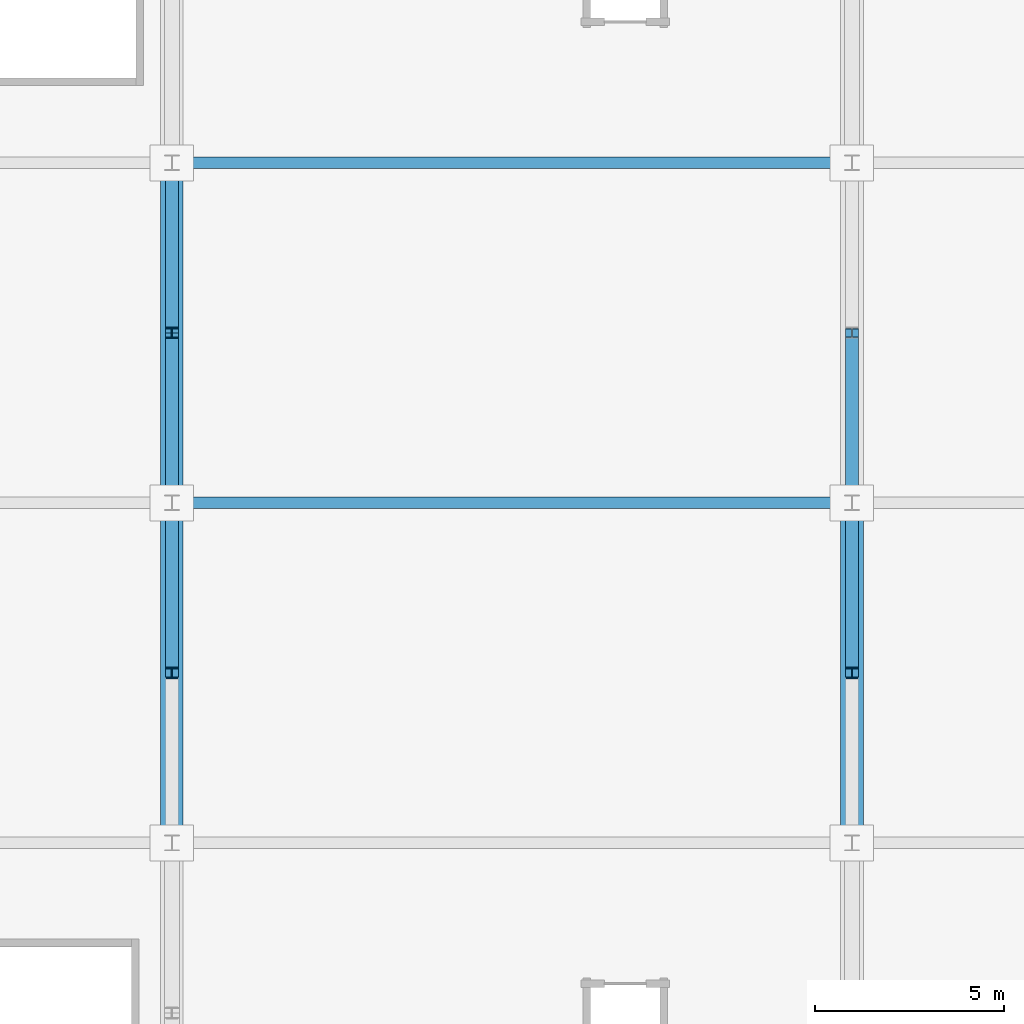
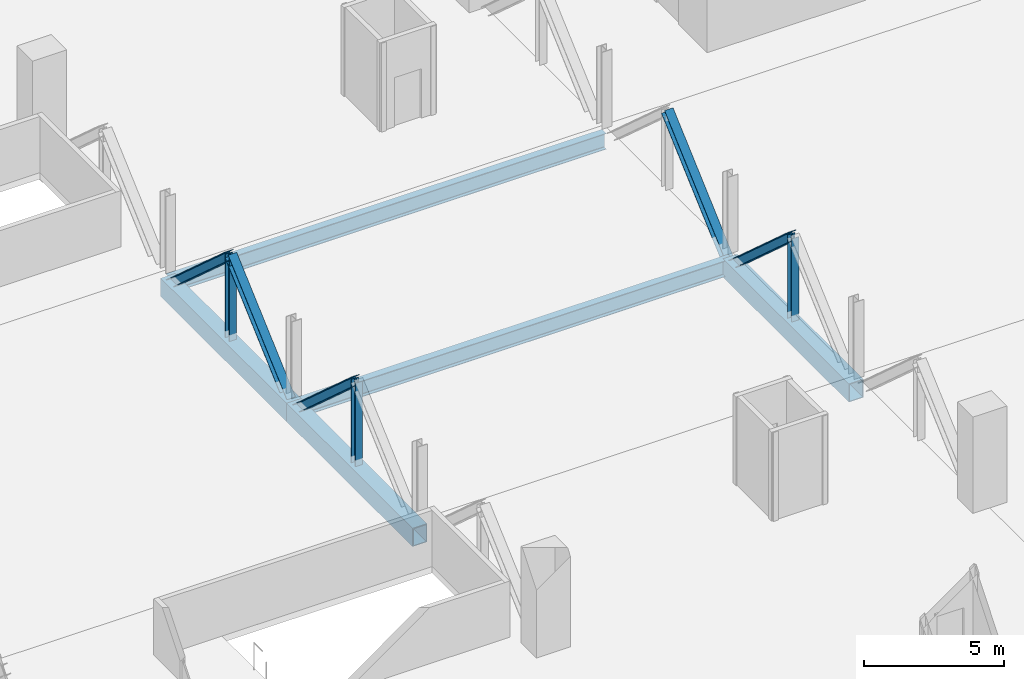
# One storey, part 29 of 136: 8 members, 5 beams.
"""IFC4 building model written with IfcOpenShell, lengths in metres."""

from ifc_helpers import new_model, si_unit, direction, frame, origin, origin_2d, place, context, subcontext, project, spatial, hollow_rectangle, i_section, extrude, material, material_profile, profile_set, type_object, element, save


model = new_model("IFC4")

# Units and contexts
model_context = context("Model", 3, precision=1e-05, world=origin(), true_north=direction((0.0, 1.0)))
body_context = subcontext(model_context, "Body", "Model", "MODEL_VIEW")
ifc_project = project(units=[si_unit("LENGTHUNIT", "METRE"), si_unit("AREAUNIT", "SQUARE_METRE"), si_unit("VOLUMEUNIT", "CUBIC_METRE"), si_unit("PLANEANGLEUNIT", "RADIAN"), si_unit("MASSUNIT", "GRAM", prefix="KILO")], contexts=[model_context])

# Site, building, storey
site_placement = place(None, origin())
site = spatial("IfcSite", under=ifc_project, at=site_placement, CompositionType="ELEMENT")
building_placement = place(site_placement, origin())
building = spatial("IfcBuilding", under=site, at=building_placement, Name="Chuanluo Vaults Station", CompositionType="ELEMENT")
storey_placement = place(building_placement, frame((0.0, 0.0, 6.60009765625)))
storey = spatial("IfcBuildingStorey", under=building, at=storey_placement, Name="L01", CompositionType="ELEMENT", Elevation=6.60009765625)

# Beams
ifc_material_1 = material(Name="Steel Q355C", Category="steel")
ifc_material_profile_1 = material_profile(ifc_material_1, i_section(OverallWidth=0.300048828125, OverallDepth=0.699951171875, WebThickness=0.012939453125, FlangeThickness=0.02392578125, FilletRadius=0.02197265625, at=origin_2d()))
ifc_profile_set_1 = profile_set([ifc_material_profile_1], Name="Steel Q355C")
beam_type_1 = type_object("IfcBeamType", Name="BM-GRD-700", PredefinedType="USERDEFINED", material=ifc_profile_set_1)
for number, where, z_axis, x_axis, name in (
    (1, (36.0, 85.5, -0.630126953125), (1.0, 0.0, 0.0), (0.0, 1.0, 0.0), "Over-track concourse floor girder 3-85"),
    (2, (36.0, 94.5, -0.630126953125), (1.0, 0.0, 0.0), (0.0, 1.0, 0.0), "Over-track concourse floor girder 3-94"),
):
    element("IfcBeam", number, at=place(storey_placement, frame(where, z_axis=z_axis, x_axis=x_axis)), inside=storey, type_object=beam_type_1, Name=name, ObjectType="GIRDER", PredefinedType="USERDEFINED", context=body_context, shape_type="SweptSolid", body=[
        extrude(i_section(OverallWidth=0.300048828125, OverallDepth=0.699951171875, WebThickness=0.012939453125, FlangeThickness=0.02392578125, FilletRadius=0.02197265625, at=origin_2d()), origin(), (0.0, 0.0, 1.0), 18.0),
    ])
ifc_material_2 = material(Name="Steel Q390C", Category="steel")
ifc_material_profile_2 = material_profile(ifc_material_2, hollow_rectangle(XDim=0.60009765625, YDim=0.800048828125, WallThickness=0.031982421875, at=origin_2d()))
ifc_profile_set_2 = profile_set([ifc_material_profile_2], Name="Steel Q390C")
beam_type_2 = type_object("IfcBeamType", Name="BM-TT-BOT", PredefinedType="USERDEFINED", material=ifc_profile_set_2)
for number, where, z_axis, x_axis, name in (
    (3, (36.0, 76.5, -0.68017578125), (0.0, 1.0, 0.0), (-1.0, 0.0, 0.0), "Transfer truss TT-3 bottom chord 2"),
    (4, (36.0, 85.5, -0.68017578125), (0.0, 1.0, 0.0), (-1.0, 0.0, 0.0), "Transfer truss TT-3 bottom chord 3"),
    (5, (54.0, 76.5, -0.68017578125), (0.0, 1.0, 0.0), (-1.0, 0.0, 0.0), "Transfer truss TT-4 bottom chord 2"),
):
    element("IfcBeam", number, at=place(storey_placement, frame(where, z_axis=z_axis, x_axis=x_axis)), inside=storey, type_object=beam_type_2, Name=name, ObjectType="GIRDER", PredefinedType="USERDEFINED", context=body_context, shape_type="SweptSolid", body=[
        extrude(hollow_rectangle(XDim=0.60009765625, YDim=0.800048828125, WallThickness=0.031982421875, at=origin_2d()), origin(), (0.0, 0.0, 1.0), 9.0),
    ])

# Members
ifc_material_3 = material(Name="Steel Q390C", Category="steel")
ifc_material_profile_3 = material_profile(ifc_material_3, i_section(OverallWidth=0.35009765625, OverallDepth=0.35009765625, WebThickness=0.011962890625, FlangeThickness=0.01904296875, FilletRadius=0.02001953125, at=origin_2d()))
ifc_profile_set_3 = profile_set([ifc_material_profile_3], Name="Steel Q390C")
member_type_1 = type_object("IfcMemberType", Name="MEM-DIAG-350", PredefinedType="BRACE", material=ifc_profile_set_3)
for number, where, z_axis, x_axis, name in (
    (6, (36.0, 81.0, 3.349853515625), (0.0, 0.744935757439, -0.667136205949), (-1.0, 0.0, 0.0), "Transfer truss TT-3 diagonal 2B"),
    (7, (36.0, 85.5, -0.68017578125), (0.0, 0.744935757439, 0.667136205949), (-1.0, 0.0, 0.0), "Transfer truss TT-3 diagonal 3A"),
    (8, (36.0, 90.0, 3.349853515625), (0.0, 0.744935757439, -0.667136205949), (-1.0, 0.0, 0.0), "Transfer truss TT-3 diagonal 3B"),
    (9, (54.0, 81.0, 3.349853515625), (0.0, 0.744935757439, -0.667136205949), (-1.0, 0.0, 0.0), "Transfer truss TT-4 diagonal 2B"),
    (10, (54.0, 85.5, -0.68017578125), (0.0, 0.744935757439, 0.667136205949), (-1.0, 0.0, 0.0), "Transfer truss TT-4 diagonal 3A"),
):
    element("IfcMember", number, at=place(storey_placement, frame(where, z_axis=z_axis, x_axis=x_axis)), inside=storey, type_object=member_type_1, Name=name, PredefinedType="BRACE", context=body_context, shape_type="SweptSolid", body=[
        extrude(i_section(OverallWidth=0.35009765625, OverallDepth=0.35009765625, WebThickness=0.011962890625, FlangeThickness=0.01904296875, FilletRadius=0.02001953125, at=origin_2d()), origin(), (0.0, 0.0, 1.0), 6.040771484375),
    ])
ifc_material_4 = material(Name="Steel Q390C", Category="steel")
ifc_material_profile_4 = material_profile(ifc_material_4, i_section(OverallWidth=0.300048828125, OverallDepth=0.300048828125, WebThickness=0.010009765625, FlangeThickness=0.014892578125, FilletRadius=0.01806640625, at=origin_2d()))
ifc_profile_set_4 = profile_set([ifc_material_profile_4], Name="Steel Q390C")
member_type_2 = type_object("IfcMemberType", Name="MEM-VERT-300", PredefinedType="POST", material=ifc_profile_set_4)
for number, where, z_axis, x_axis, name in (
    (11, (36.0, 81.0, -0.68017578125), (0.0, 0.0, 1.0), (1.0, 0.0, 0.0), "Transfer truss TT-3 mid-panel hanger 2"),
    (12, (36.0, 90.0, -0.68017578125), (0.0, 0.0, 1.0), (1.0, 0.0, 0.0), "Transfer truss TT-3 mid-panel hanger 3"),
    (13, (54.0, 81.0, -0.68017578125), (0.0, 0.0, 1.0), (1.0, 0.0, 0.0), "Transfer truss TT-4 mid-panel hanger 2"),
):
    element("IfcMember", number, at=place(storey_placement, frame(where, z_axis=z_axis, x_axis=x_axis)), inside=storey, type_object=member_type_2, Name=name, PredefinedType="POST", context=body_context, shape_type="SweptSolid", body=[
        extrude(i_section(OverallWidth=0.300048828125, OverallDepth=0.300048828125, WebThickness=0.010009765625, FlangeThickness=0.014892578125, FilletRadius=0.01806640625, at=origin_2d()), origin(), (0.0, 0.0, 1.0), 4.030029296875),
    ])

save(model, "model.ifc")
